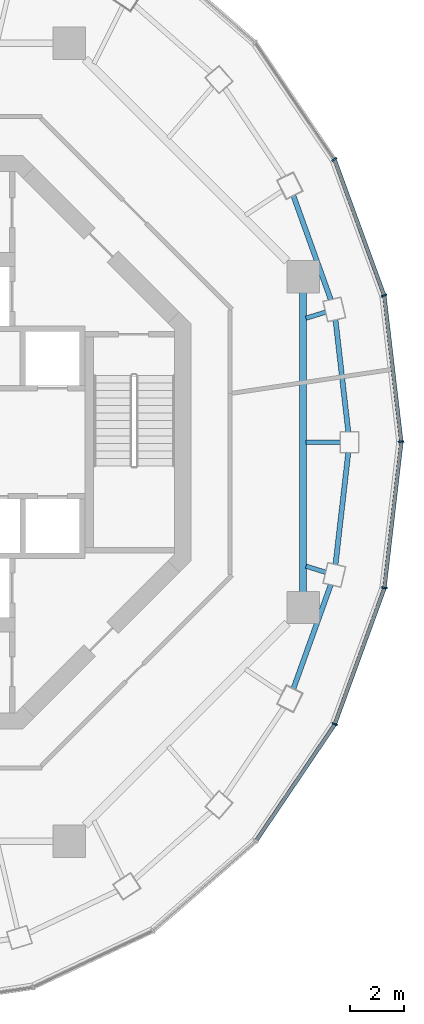
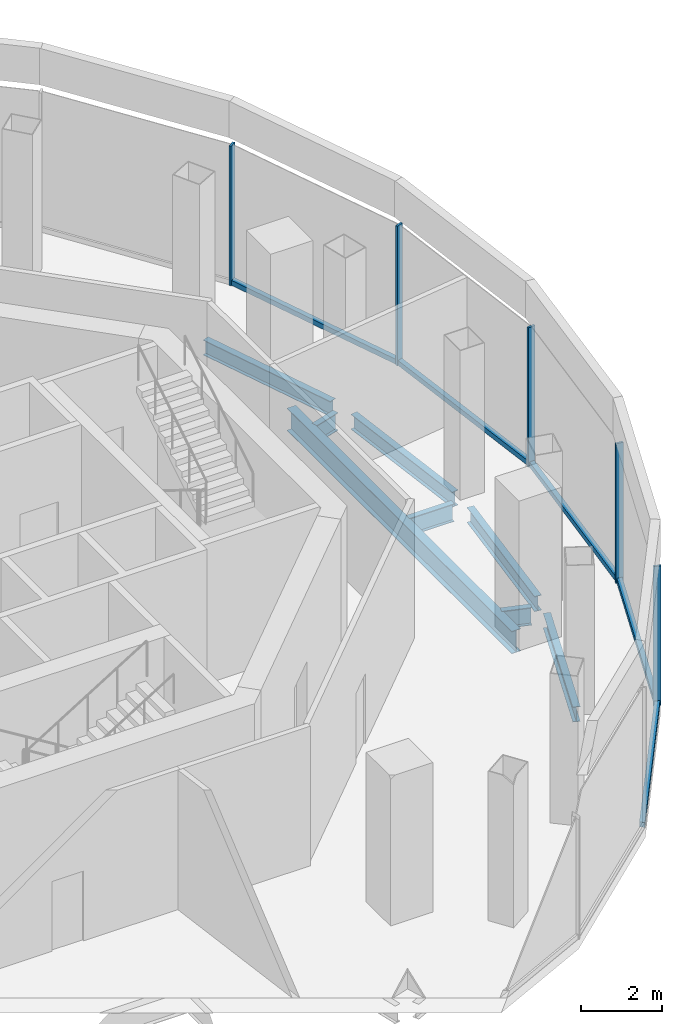
# One storey, part 4 of 11: 10 members, 8 beams, 6 elements without a shape of their own.
"""IFC4 building model written with IfcOpenShell, lengths in metres."""

from ifc_helpers import new_model, si_unit, direction, frame, origin, origin_2d, place, context, subcontext, project, spatial, rectangle, i_section, extrude, material, layer, layer_set, material_profile, profile_set, type_object, element, aggregate, save


model = new_model("IFC4")

# Units and contexts
model_context = context("Model", 3, precision=1e-05, world=origin(), true_north=direction((0.0, 1.0)))
body_context = subcontext(model_context, "Body", "Model", "MODEL_VIEW")
ifc_project = project(units=[si_unit("LENGTHUNIT", "METRE"), si_unit("AREAUNIT", "SQUARE_METRE"), si_unit("VOLUMEUNIT", "CUBIC_METRE"), si_unit("PLANEANGLEUNIT", "RADIAN"), si_unit("MASSUNIT", "GRAM", prefix="KILO")], contexts=[model_context])

# Site, building, storey
site_placement = place(None, origin())
site = spatial("IfcSite", under=ifc_project, at=site_placement, CompositionType="ELEMENT")
building_placement = place(site_placement, origin())
building = spatial("IfcBuilding", under=site, at=building_placement, Name="Nagisa Residences", CompositionType="ELEMENT")
storey_placement = place(building_placement, frame((0.0, 0.0, 320.39990234375)))
storey = spatial("IfcBuildingStorey", under=building, at=storey_placement, Name="L79", CompositionType="ELEMENT", Elevation=320.39990234375)

# Curtain wall, member
ifc_material_1 = material(Name="Aluminium curtain wall system", Category="aluminium")
ifc_layer = layer(ifc_material_1, 0.159912109375)
ifc_layer_set = layer_set([ifc_layer], Name="CW4 CURTAIN WALL")
curtain_wall_type = type_object("IfcCurtainWallType", Name="CW4 CURTAIN WALL", PredefinedType="NOTDEFINED", material=ifc_layer_set)
curtain_wall_1_placement = place(storey_placement, origin())
curtain_wall_1 = element("IfcCurtainWall", 1, at=curtain_wall_1_placement, inside=storey, type_object=curtain_wall_type, Name="cw:CW4:L79:00", PredefinedType="NOTDEFINED")
ifc_material_2 = material(Name="Aluminium", Category="aluminium")
ifc_material_profile_1 = material_profile(ifc_material_2, rectangle(XDim=0.199951171875, YDim=0.06005859375, at=origin_2d()), Name="CW4 MULLION 200x60")
ifc_profile_set_1 = profile_set([ifc_material_profile_1], Name="Aluminium")
member_type_1 = type_object("IfcMemberType", Name="CW4 MULLION 200x60", PredefinedType="MULLION", material=ifc_profile_set_1)
member_1_placement = place(storey_placement, frame((18.4169921875, 0.0205078125, 0.0), z_axis=(0.0, 0.0, 1.0), x_axis=(-0.993341467827, -0.115207327437, 0.0)))
member_1 = element("IfcMember", 2, at=member_1_placement, type_object=member_type_1, Name="CW4 mullion", PredefinedType="MULLION", context=body_context, shape_type="SweptSolid", body=[
    extrude(rectangle(XDim=0.199951171875, YDim=0.06005859375, at=origin_2d()), origin(), (0.0, 0.0, 1.0), 4.2001953125),
])

curtain_wall_2_placement = place(storey_placement, origin())
curtain_wall_2 = element("IfcCurtainWall", 3, at=curtain_wall_2_placement, inside=storey, type_object=curtain_wall_type, Name="cw:CW4:L79:01", PredefinedType="NOTDEFINED")
member_2_placement = place(storey_placement, frame((17.7841796875, 5.43603515625, 0.0), z_axis=(0.0, 0.0, 1.0), x_axis=(-0.939410855128, -0.342793298167, 0.0)))
member_2 = element("IfcMember", 4, at=member_2_placement, type_object=member_type_1, Name="CW4 mullion", PredefinedType="MULLION", context=body_context, shape_type="SweptSolid", body=[
    extrude(rectangle(XDim=0.199951171875, YDim=0.06005859375, at=origin_2d()), origin(), (0.0, 0.0, 1.0), 4.2001953125),
])

curtain_wall_3_placement = place(storey_placement, origin())
curtain_wall_3 = element("IfcCurtainWall", 5, at=curtain_wall_3_placement, inside=storey, type_object=curtain_wall_type, Name="cw:CW4:L79:02", PredefinedType="NOTDEFINED")
member_3_placement = place(storey_placement, frame((15.9384765625, 10.47998046875, 0.0), z_axis=(0.0, 0.0, 1.0), x_axis=(-0.828472554652, -0.560029665453, 0.0)))
member_3 = element("IfcMember", 6, at=member_3_placement, type_object=member_type_1, Name="CW4 mullion", PredefinedType="MULLION", context=body_context, shape_type="SweptSolid", body=[
    extrude(rectangle(XDim=0.199951171875, YDim=0.06005859375, at=origin_2d()), origin(), (0.0, 0.0, 1.0), 4.2001953125),
])
aggregate(curtain_wall_3, [member_3])

curtain_wall_4_placement = place(storey_placement, origin())
curtain_wall_4 = element("IfcCurtainWall", 7, at=curtain_wall_4_placement, inside=storey, type_object=curtain_wall_type, Name="cw:CW4:L79:22", PredefinedType="NOTDEFINED")
member_4_placement = place(storey_placement, frame((15.95654296875, -10.4443359375, 0.0), z_axis=(0.0, 0.0, 1.0), x_axis=(-0.939410855128, 0.342793298167, 0.0)))
member_4 = element("IfcMember", 8, at=member_4_placement, type_object=member_type_1, Name="CW4 mullion", PredefinedType="MULLION", context=body_context, shape_type="SweptSolid", body=[
    extrude(rectangle(XDim=0.199951171875, YDim=0.06005859375, at=origin_2d()), origin(), (0.0, 0.0, 1.0), 4.2001953125),
])

curtain_wall_5_placement = place(storey_placement, origin())
curtain_wall_5 = element("IfcCurtainWall", 9, at=curtain_wall_5_placement, inside=storey, type_object=curtain_wall_type, Name="cw:CW4:L79:23", PredefinedType="NOTDEFINED")
member_5_placement = place(storey_placement, frame((17.793701171875, -5.396240234375, 0.0), z_axis=(0.0, 0.0, 1.0), x_axis=(-0.993341467827, 0.115207327437, 0.0)))
member_5 = element("IfcMember", 10, at=member_5_placement, type_object=member_type_1, Name="CW4 mullion", PredefinedType="MULLION", context=body_context, shape_type="SweptSolid", body=[
    extrude(rectangle(XDim=0.199951171875, YDim=0.06005859375, at=origin_2d()), origin(), (0.0, 0.0, 1.0), 4.2001953125),
])

# Member
ifc_material_3 = material(Name="Aluminium", Category="aluminium")
ifc_material_profile_2 = material_profile(ifc_material_3, rectangle(XDim=0.139892578125, YDim=0.14990234375, at=origin_2d()), Name="CW4 TRANSOM 140x150")
ifc_profile_set_2 = profile_set([ifc_material_profile_2], Name="Aluminium")
member_type_2 = type_object("IfcMemberType", Name="CW4 TRANSOM 140x150", PredefinedType="USERDEFINED", material=ifc_profile_set_2)
member_6_placement = place(storey_placement, frame((18.420654296875, -0.00927734375, 0.0751953125), z_axis=(-0.115249001686, 0.993336633579, 0.0), x_axis=(-0.993336633579, -0.115249001686, 0.0)))
member_6 = element("IfcMember", 11, at=member_6_placement, type_object=member_type_2, Name="CW4 transom", ObjectType="TRANSOM", PredefinedType="USERDEFINED", context=body_context, shape_type="SweptSolid", body=[
    extrude(rectangle(XDim=0.139892578125, YDim=0.14990234375, at=origin_2d()), origin(), (0.0, 0.0, 1.0), 5.4716796875),
])

aggregate(curtain_wall_1, [member_1, member_6])

member_7_placement = place(storey_placement, frame((17.79443359375, 5.40771484375, 0.0751953125), z_axis=(-0.34278268103, 0.939414729279, 0.0), x_axis=(-0.939414729279, -0.34278268103, 0.0)))
member_7 = element("IfcMember", 12, at=member_7_placement, type_object=member_type_2, Name="CW4 transom", ObjectType="TRANSOM", PredefinedType="USERDEFINED", context=body_context, shape_type="SweptSolid", body=[
    extrude(rectangle(XDim=0.139892578125, YDim=0.14990234375, at=origin_2d()), origin(), (0.0, 0.0, 1.0), 5.3916015625),
])

aggregate(curtain_wall_2, [member_2, member_7])

# Curtain wall, member
curtain_wall_6_placement = place(storey_placement, origin())
curtain_wall_6 = element("IfcCurtainWall", 13, at=curtain_wall_6_placement, inside=storey, type_object=curtain_wall_type, Name="cw:CW4:L79:21", PredefinedType="NOTDEFINED")
member_8_placement = place(storey_placement, frame((13.01513671875, -14.804443359375, 0.0751953125), z_axis=(0.560011865881, 0.828484586503, 0.0), x_axis=(-0.828484586503, 0.560011865881, 0.0)))
member_8 = element("IfcMember", 14, at=member_8_placement, type_object=member_type_2, Name="CW4 transom", ObjectType="TRANSOM", PredefinedType="USERDEFINED", context=body_context, shape_type="SweptSolid", body=[
    extrude(rectangle(XDim=0.139892578125, YDim=0.14990234375, at=origin_2d()), origin(), (0.0, 0.0, 1.0), 5.249755859375),
])
aggregate(curtain_wall_6, [member_8])

# Member
member_9_placement = place(storey_placement, frame((15.9462890625, -10.47265625, 0.0751953125), z_axis=(0.34278268103, 0.939414729279, 0.0), x_axis=(-0.939414729279, 0.34278268103, 0.0)))
member_9 = element("IfcMember", 15, at=member_9_placement, type_object=member_type_2, Name="CW4 transom", ObjectType="TRANSOM", PredefinedType="USERDEFINED", context=body_context, shape_type="SweptSolid", body=[
    extrude(rectangle(XDim=0.139892578125, YDim=0.14990234375, at=origin_2d()), origin(), (0.0, 0.0, 1.0), 5.3916015625),
])

aggregate(curtain_wall_4, [member_4, member_9])

member_10_placement = place(storey_placement, frame((17.7900390625, -5.426025390625, 0.0751953125), z_axis=(0.115249001686, 0.993336633579, 0.0), x_axis=(-0.993336633579, 0.115249001686, 0.0)))
member_10 = element("IfcMember", 16, at=member_10_placement, type_object=member_type_2, Name="CW4 transom", ObjectType="TRANSOM", PredefinedType="USERDEFINED", context=body_context, shape_type="SweptSolid", body=[
    extrude(rectangle(XDim=0.139892578125, YDim=0.14990234375, at=origin_2d()), origin(), (0.0, 0.0, 1.0), 5.4716796875),
])

aggregate(curtain_wall_5, [member_5, member_10])

# Beams
ifc_material_4 = material(Name="Steel ASTM A572 Gr 50", Category="steel")
ifc_material_profile_3 = material_profile(ifc_material_4, i_section(OverallWidth=0.2529296875, OverallDepth=0.677978515625, WebThickness=0.01171875, FlangeThickness=0.016357421875, at=origin_2d()), Name="W690x125")
ifc_profile_set_3 = profile_set([ifc_material_profile_3], Name="Steel ASTM A572 Gr 50")
beam_type_1 = type_object("IfcBeamType", Name="Inner ring beam W690x125", PredefinedType="BEAM", material=ifc_profile_set_3)
beam_1_placement = place(storey_placement, frame((14.781982421875, -5.54296875, -0.638916015625), z_axis=(0.0, 1.0, 0.0), x_axis=(-1.0, 0.0, 0.0)))
element("IfcBeam", 17, at=beam_1_placement, inside=storey, type_object=beam_type_1, Name="beam:L79:ib8", PredefinedType="BEAM", context=body_context, shape_type="SweptSolid", body=[
    extrude(i_section(OverallWidth=0.2529296875, OverallDepth=0.677978515625, WebThickness=0.01171875, FlangeThickness=0.016357421875, at=origin_2d()), origin(), (0.0, 0.0, 1.0), 11.0859375),
])
ifc_material_5 = material(Name="Steel ASTM A572 Gr 50", Category="steel")
ifc_material_profile_4 = material_profile(ifc_material_5, i_section(OverallWidth=0.18994140625, OverallDepth=0.45703125, WebThickness=0.009033203125, FlangeThickness=0.014404296875, at=origin_2d()), Name="W460x74")
ifc_profile_set_4 = profile_set([ifc_material_profile_4], Name="Steel ASTM A572 Gr 50")
beam_type_2 = type_object("IfcBeamType", Name="Perimeter ring beam W460x74", PredefinedType="BEAM", material=ifc_profile_set_4)
beam_2_placement = place(storey_placement, frame((16.45654296875, 0.380126953125, -0.5283203125), z_axis=(-0.113600894263, 0.993526465084, 0.0), x_axis=(-0.993526465084, -0.113600894263, 0.0)))
element("IfcBeam", 18, at=beam_2_placement, inside=storey, type_object=beam_type_2, Name="beam:L79:pb01", PredefinedType="BEAM", context=body_context, shape_type="SweptSolid", body=[
    extrude(i_section(OverallWidth=0.18994140625, OverallDepth=0.45703125, WebThickness=0.009033203125, FlangeThickness=0.014404296875, at=origin_2d()), origin(), (0.0, 0.0, 1.0), 4.184326171875),
])
for number, where, z_axis, x_axis, name in (
    (19, (15.808349609375, 5.277587890625, -0.5283203125), (-0.338517252251, 0.940960185092, 0.0), (-0.940960185092, -0.338517252251, 0.0), "beam:L79:pb02"),
    (20, (14.4189453125, -9.1396484375, -0.5283203125), (0.338517252251, 0.940960185092, 0.0), (-0.940960185092, 0.338517252251, 0.0), "beam:L79:pb23"),
):
    element("IfcBeam", number, at=place(storey_placement, frame(where, z_axis=z_axis, x_axis=x_axis)), inside=storey, type_object=beam_type_2, Name=name, PredefinedType="BEAM", context=body_context, shape_type="SweptSolid", body=[
        extrude(i_section(OverallWidth=0.18994140625, OverallDepth=0.45703125, WebThickness=0.009033203125, FlangeThickness=0.014404296875, at=origin_2d()), origin(), (0.0, 0.0, 1.0), 4.1044921875),
    ])
beam_3_placement = place(storey_placement, frame((15.981201171875, -4.537353515625, -0.5283203125), z_axis=(0.113600894263, 0.993526465084, 0.0), x_axis=(-0.993526465084, 0.113600894263, 0.0)))
element("IfcBeam", 21, at=beam_3_placement, inside=storey, type_object=beam_type_2, Name="beam:L79:pb24", PredefinedType="BEAM", context=body_context, shape_type="SweptSolid", body=[
    extrude(i_section(OverallWidth=0.18994140625, OverallDepth=0.45703125, WebThickness=0.009033203125, FlangeThickness=0.014404296875, at=origin_2d()), origin(), (0.0, 0.0, 1.0), 4.184326171875),
])
ifc_material_6 = material(Name="Steel ASTM A572 Gr 50", Category="steel")
ifc_material_profile_5 = material_profile(ifc_material_6, i_section(OverallWidth=0.166015625, OverallDepth=0.534912109375, WebThickness=0.01025390625, FlangeThickness=0.0166015625, at=origin_2d()), Name="W530x85")
ifc_profile_set_5 = profile_set([ifc_material_profile_5], Name="Steel ASTM A572 Gr 50")
beam_type_3 = type_object("IfcBeamType", Name="Radial beam W530x85", PredefinedType="BEAM", material=ifc_profile_set_5)
beam_4_placement = place(storey_placement, frame((16.169921875, 0.0, -0.5673828125), z_axis=(-1.0, 0.0, 0.0), x_axis=(0.0, -1.0, 0.0)))
element("IfcBeam", 22, at=beam_4_placement, inside=storey, type_object=beam_type_3, Name="beam:L79:rb01", PredefinedType="BEAM", context=body_context, shape_type="SweptSolid", body=[
    extrude(i_section(OverallWidth=0.166015625, OverallDepth=0.534912109375, WebThickness=0.01025390625, FlangeThickness=0.0166015625, at=origin_2d()), origin(), (0.0, 0.0, 1.0), 1.28125),
])
for number, where, z_axis, x_axis, name in (
    (23, (15.62158203125, 4.820068359375, -0.5673828125), (-0.955489220567, -0.295026014753, 0.0), (0.295026014753, -0.955489220567, 0.0), "beam:L79:rb02"),
    (24, (15.62158203125, -4.820068359375, -0.5673828125), (-0.955489220567, 0.295026014753, 0.0), (-0.295026014753, -0.955489220567, 0.0), "beam:L79:rb24"),
):
    element("IfcBeam", number, at=place(storey_placement, frame(where, z_axis=z_axis, x_axis=x_axis)), inside=storey, type_object=beam_type_3, Name=name, PredefinedType="BEAM", context=body_context, shape_type="SweptSolid", body=[
        extrude(i_section(OverallWidth=0.166015625, OverallDepth=0.534912109375, WebThickness=0.01025390625, FlangeThickness=0.0166015625, at=origin_2d()), origin(), (0.0, 0.0, 1.0), 0.766357421875),
    ])

save(model, "model.ifc")
